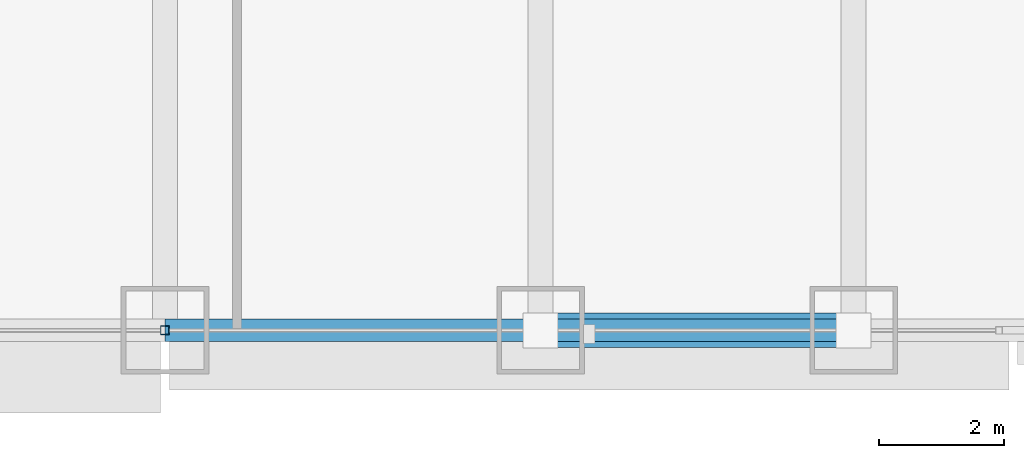
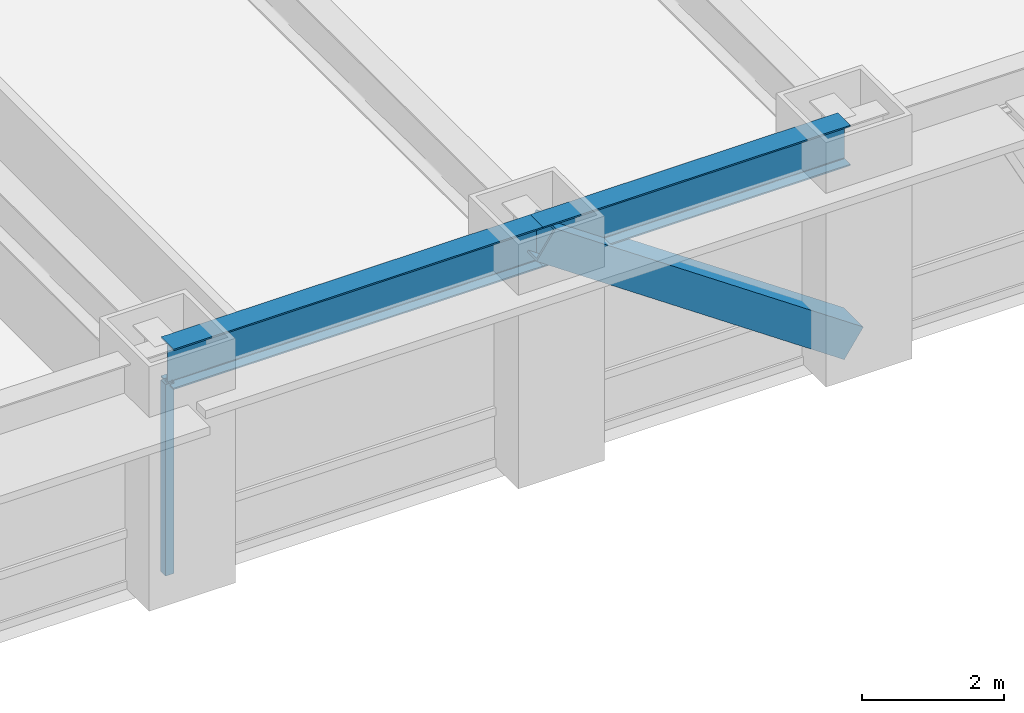
# One storey, part 4 of 32: 2 beams, 2 members, 1 element without a shape of its own.
"""IFC4 building model written with IfcOpenShell, lengths in metres."""

from ifc_helpers import new_model, si_unit, direction, frame, origin, origin_2d, place, context, subcontext, project, spatial, hollow_rectangle, i_section, extrude, source, transform, mapped, material, material_profile, profile_set, type_object, element, aggregate, save


model = new_model("IFC4")

# Units and contexts
model_context = context("Model", 3, precision=1e-05, world=origin(), true_north=direction((0.0, 1.0)))
body_context = subcontext(model_context, "Body", "Model", "MODEL_VIEW")
ifc_project = project(units=[si_unit("LENGTHUNIT", "METRE"), si_unit("AREAUNIT", "SQUARE_METRE"), si_unit("VOLUMEUNIT", "CUBIC_METRE"), si_unit("PLANEANGLEUNIT", "RADIAN"), si_unit("MASSUNIT", "GRAM", prefix="KILO")], contexts=[model_context])

# Site, building, storey
site_placement = place(None, origin())
site = spatial("IfcSite", under=ifc_project, at=site_placement, CompositionType="ELEMENT")
building_placement = place(site_placement, origin())
building = spatial("IfcBuilding", under=site, at=building_placement, Name="Khorayat Bourse Tower", CompositionType="ELEMENT")
storey_placement = place(building_placement, frame((0.0, 0.0, 70.39990234375)))
storey = spatial("IfcBuildingStorey", under=building, at=storey_placement, Name="L15", CompositionType="ELEMENT", Elevation=70.39990234375)

# Beams
ifc_material_1 = material(Name="Steel ASTM A992 Grade 50", Category="steel")
ifc_material_profile_1 = material_profile(ifc_material_1, i_section(OverallWidth=0.35498046875, OverallDepth=0.695068359375, WebThickness=0.015380859375, FlangeThickness=0.02490234375, FilletRadius=0.01806640625, at=origin_2d()), Name="W690X217")
ifc_profile_set_1 = profile_set([ifc_material_profile_1], Name="Steel ASTM A992 Grade 50")
beam_type = type_object("IfcBeamType", Name="BM-SPAN-690", PredefinedType="SPANDREL", material=ifc_profile_set_1)
shared_shape_1 = source(origin(), body_context, "Body", "SweptSolid", [
    extrude(i_section(OverallWidth=0.35498046875, OverallDepth=0.695068359375, WebThickness=0.015380859375, FlangeThickness=0.02490234375, FilletRadius=0.01806640625, at=origin_2d()), origin(), (0.0, 0.0, 1.0), 5.0),
])
beam_1_placement = place(storey_placement, frame((6.0, -32.0, 3.592529296875), z_axis=(1.0, 0.0, 0.0), x_axis=(0.0, 1.0, 0.0)))
element("IfcBeam", 1, at=beam_1_placement, inside=storey, type_object=beam_type, Name="L15 BM-SPAN-690 BM-L15-SPN-029", PredefinedType="SPANDREL", context=body_context, shape_type="MappedRepresentation", body=[
    mapped(shared_shape_1, transform((0.0, 0.0, 0.0), scale=1.0)),
])
shared_shape_2 = source(origin(), body_context, "Body", "SweptSolid", [
    extrude(i_section(OverallWidth=0.35498046875, OverallDepth=0.695068359375, WebThickness=0.015380859375, FlangeThickness=0.02490234375, FilletRadius=0.01806640625, at=origin_2d()), origin(), (0.0, 0.0, 1.0), 6.0),
])
beam_2_placement = place(storey_placement, frame((0.0, -32.0, 3.592529296875), z_axis=(1.0, 0.0, 0.0), x_axis=(0.0, 1.0, 0.0)))
element("IfcBeam", 2, at=beam_2_placement, inside=storey, type_object=beam_type, Name="L15 BM-SPAN-690 BM-L15-SPN-028", PredefinedType="SPANDREL", context=body_context, shape_type="MappedRepresentation", body=[
    mapped(shared_shape_2, transform((0.0, 0.0, 0.0), scale=1.0)),
])

# Member
ifc_material_2 = material(Name="Steel EN 10025-4 S460M", Category="steel")
ifc_material_profile_2 = material_profile(ifc_material_2, hollow_rectangle(XDim=0.550048828125, YDim=0.550048828125, WallThickness=0.031982421875, at=origin_2d()), Name="HSS 550x550x32")
ifc_profile_set_2 = profile_set([ifc_material_profile_2], Name="Steel EN 10025-4 S460M")
member_type_1 = type_object("IfcMemberType", Name="MBR-TUBE-550", PredefinedType="BRACE", material=ifc_profile_set_2)
shared_shape_3 = source(origin(), body_context, "Body", "SweptSolid", [
    extrude(hollow_rectangle(XDim=0.550048828125, YDim=0.550048828125, WallThickness=0.031982421875, at=origin_2d()), origin(), (0.0, 0.0, 1.0), 6.069091796875),
])
member_1_placement = place(storey_placement, frame((6.0, -32.0, 3.690185546875), z_axis=(0.823835295996, 0.0, -0.566829255659), x_axis=(0.0, 1.0, 0.0)))
element("IfcMember", 3, at=member_1_placement, inside=storey, type_object=member_type_1, Name="L15 Perimeter Tube Brace 02", PredefinedType="BRACE", context=body_context, shape_type="MappedRepresentation", body=[
    mapped(shared_shape_3, transform((0.0, 0.0, 0.0), scale=1.0)),
])

# Curtain wall, member
ifc_material_3 = material(Name="Aluminium EN AW-6063 T6", Category="aluminium")
curtain_wall_type = type_object("IfcCurtainWallType", Name="CW-SYS-02", PredefinedType="NOTDEFINED", material=ifc_material_3)
curtain_wall_placement = place(storey_placement, origin())
curtain_wall = element("IfcCurtainWall", 4, at=curtain_wall_placement, inside=storey, type_object=curtain_wall_type, Name="L15 Curtain Wall CW-L15-S1", PredefinedType="NOTDEFINED")
ifc_material_profile_3 = material_profile(ifc_material_3, hollow_rectangle(XDim=0.139892578125, YDim=0.139892578125, WallThickness=0.006103515625, at=origin_2d()), Name="ALU 140x140x6")
ifc_profile_set_3 = profile_set([ifc_material_profile_3], Name="Aluminium EN AW-6063 T6")
member_type_2 = type_object("IfcMemberType", Name="CWM-VERT-140", PredefinedType="MULLION", material=ifc_profile_set_3)
shared_shape_4 = source(origin(), body_context, "Body", "SweptSolid", [
    extrude(hollow_rectangle(XDim=0.139892578125, YDim=0.139892578125, WallThickness=0.006103515625, at=origin_2d()), origin(), (0.0, 0.0, 1.0), 3.2900390625),
])
member_2_placement = place(storey_placement, frame((0.0, -32.0, 0.0), z_axis=(0.0, 0.0, 1.0), x_axis=(0.0, 1.0, 0.0)))
member_2 = element("IfcMember", 5, at=member_2_placement, type_object=member_type_2, Name="CW-L15-S1 Vertical Mullion 2", PredefinedType="MULLION", context=body_context, shape_type="MappedRepresentation", body=[
    mapped(shared_shape_4, transform((0.0, 0.0, 0.0), scale=1.0)),
])
aggregate(curtain_wall, [member_2])

save(model, "model.ifc")
